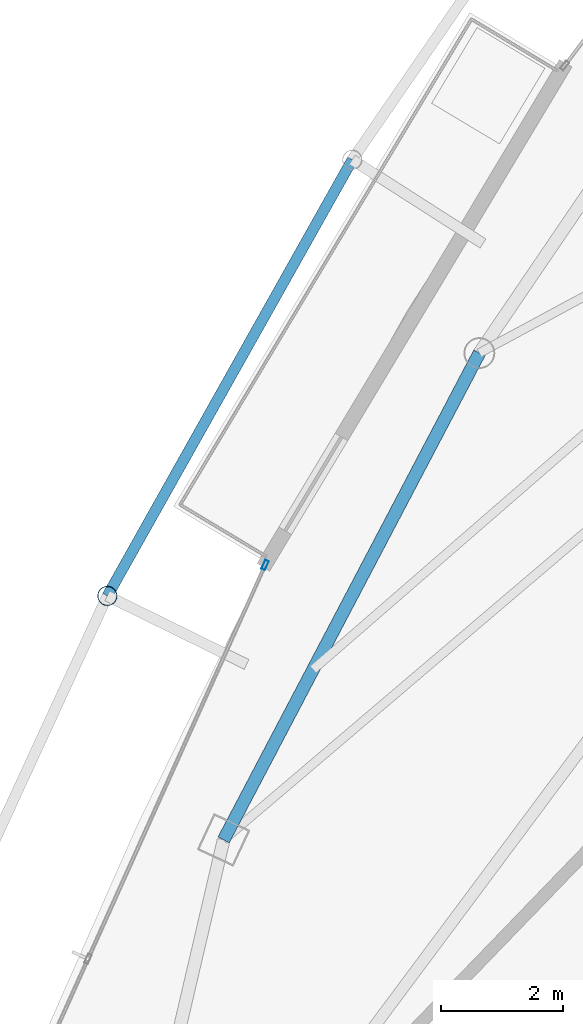
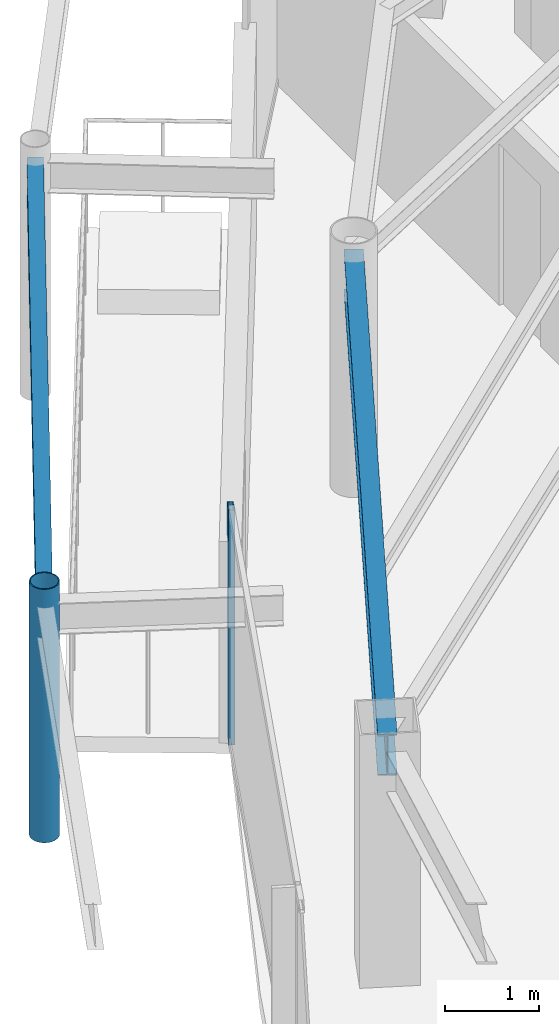
# One storey, part 10 of 28: 2 beams, 2 members, 1 element without a shape of its own.
"""IFC4 building model written with IfcOpenShell, lengths in metres."""

from ifc_helpers import new_model, si_unit, direction, frame, origin, origin_2d, place, context, subcontext, project, spatial, hollow_rectangle, hollow_circle, i_section, extrude, material, layer, layer_set, material_profile, profile_set, type_object, element, aggregate, save


model = new_model("IFC4")

# Units and contexts
model_context = context("Model", 3, precision=1e-05, world=origin(), true_north=direction((0.0, 1.0)))
body_context = subcontext(model_context, "Body", "Model", "MODEL_VIEW")
ifc_project = project(units=[si_unit("LENGTHUNIT", "METRE"), si_unit("AREAUNIT", "SQUARE_METRE"), si_unit("VOLUMEUNIT", "CUBIC_METRE"), si_unit("PLANEANGLEUNIT", "RADIAN"), si_unit("MASSUNIT", "GRAM", prefix="KILO")], contexts=[model_context])

# Site, building, storey
site_placement = place(None, origin())
site = spatial("IfcSite", under=ifc_project, at=site_placement, CompositionType="ELEMENT")
building_placement = place(site_placement, origin())
building = spatial("IfcBuilding", under=site, at=building_placement, Name="Orvanel Arch Residences", CompositionType="ELEMENT")
storey_placement = place(building_placement, frame((0.0, 0.0, 263.449951171875)))
storey = spatial("IfcBuildingStorey", under=building, at=storey_placement, Name="L75", CompositionType="ELEMENT", Elevation=263.449951171875)

# Curtain wall, member
ifc_material_1 = material(Name="Bronze-anodised aluminium AA6063-T6", Category="aluminium")
ifc_layer = layer(ifc_material_1, 0.175048828125)
ifc_layer_set = layer_set([ifc_layer], Name="Bronze-anodised aluminium AA6063-T6")
curtain_wall_type = type_object("IfcCurtainWallType", Name="CW4-HI-SYS", PredefinedType="NOTDEFINED", material=ifc_layer_set)
curtain_wall_placement = place(storey_placement, origin())
curtain_wall = element("IfcCurtainWall", 1, at=curtain_wall_placement, inside=storey, type_object=curtain_wall_type, Name="L75 CW4-HI-SYS Unitised Curtain Wall", PredefinedType="NOTDEFINED")
ifc_material_profile_1 = material_profile(ifc_material_1, hollow_rectangle(XDim=0.06494140625, YDim=0.159912109375, WallThickness=0.00390625, at=origin_2d()), Name="ALU160x65x4")
ifc_profile_set_1 = profile_set([ifc_material_profile_1], Name="Bronze-anodised aluminium AA6063-T6")
member_type_1 = type_object("IfcMemberType", Name="MUL-160x65", PredefinedType="MULLION", material=ifc_profile_set_1)
member_1_placement = place(storey_placement, frame((17.048583984375, 24.158447265625, 0.0), z_axis=(0.0, 0.0, 1.0), x_axis=(0.912050087349, -0.410078819456, 0.0)))
member_1 = element("IfcMember", 2, at=member_1_placement, type_object=member_type_1, Name="CW-S4 mullion 1", PredefinedType="MULLION", context=body_context, shape_type="SweptSolid", body=[
    extrude(hollow_rectangle(XDim=0.06494140625, YDim=0.159912109375, WallThickness=0.00390625, at=origin_2d()), origin(), (0.0, 0.0, 1.0), 3.06005859375),
])
aggregate(curtain_wall, [member_1])

# Beams
ifc_material_2 = material(Name="Structural steel AS/NZS 3679.1 Grade 300 (300 MPa)", Category="steel")
ifc_material_profile_2 = material_profile(ifc_material_2, i_section(OverallWidth=0.177978515625, OverallDepth=0.406005859375, WebThickness=0.0078125, FlangeThickness=0.0126953125, at=origin_2d()), Name="410UB59.7")
ifc_profile_set_2 = profile_set([ifc_material_profile_2], Name="Structural steel AS/NZS 3679.1 Grade 300 (300 MPa)")
beam_type_1 = type_object("IfcBeamType", Name="OB-410UB-EXT", PredefinedType="SPANDREL", material=ifc_profile_set_2)
beam_1_placement = place(storey_placement, frame((18.48095703125, 30.81689453125, 2.85693359375), z_axis=(-0.489617970835, -0.87193706346, 0.0), x_axis=(0.87193706346, -0.489617970835, 0.0)))
element("IfcBeam", 3, at=beam_1_placement, inside=storey, type_object=beam_type_1, Name="L75 Outer Perimeter Floor Ring Beam 02", PredefinedType="SPANDREL", context=body_context, shape_type="SweptSolid", body=[
    extrude(i_section(OverallWidth=0.177978515625, OverallDepth=0.406005859375, WebThickness=0.0078125, FlangeThickness=0.0126953125, at=origin_2d()), origin(), (0.0, 0.0, 1.0), 8.218505859375),
])
ifc_material_profile_3 = material_profile(ifc_material_2, i_section(OverallWidth=0.208984375, OverallDepth=0.532958984375, WebThickness=0.01025390625, FlangeThickness=0.015625, at=origin_2d()), Name="530UB92.4")
ifc_profile_set_3 = profile_set([ifc_material_profile_3], Name="Structural steel AS/NZS 3679.1 Grade 300 (300 MPa)")
beam_type_2 = type_object("IfcBeamType", Name="SP-530UB", PredefinedType="SPANDREL", material=ifc_profile_set_3)
beam_2_placement = place(storey_placement, frame((20.569091796875, 27.64111328125, 2.79296875), z_axis=(-0.465064762793, -0.885276660942, 0.0), x_axis=(0.885276660942, -0.465064762793, 0.0)))
element("IfcBeam", 4, at=beam_2_placement, inside=storey, type_object=beam_type_2, Name="L75 Perimeter Spandrel Beam 12", PredefinedType="SPANDREL", context=body_context, shape_type="SweptSolid", body=[
    extrude(i_section(OverallWidth=0.208984375, OverallDepth=0.532958984375, WebThickness=0.01025390625, FlangeThickness=0.015625, at=origin_2d()), origin(), (0.0, 0.0, 1.0), 9.03564453125),
])

# Member
ifc_material_3 = material(Name="Structural steel AS/NZS 1163 C350L0 (Grade 350)", Category="steel")
ifc_material_profile_4 = material_profile(ifc_material_3, hollow_circle(Radius=0.162109375, WallThickness=0.0126953125, at=origin_2d()), Name="CHS324x12.7")
ifc_profile_set_4 = profile_set([ifc_material_profile_4], Name="Structural steel AS/NZS 1163 C350L0 (Grade 350)")
member_type_2 = type_object("IfcMemberType", Name="ST-324CHS-EXT", PredefinedType="STRUT", material=ifc_profile_set_4)
member_2_placement = place(storey_placement, frame((14.45703125, 23.65087890625, 0.0), z_axis=(0.0, 0.0, 1.0), x_axis=(1.0, 0.0, 0.0)))
element("IfcMember", 5, at=member_2_placement, inside=storey, type_object=member_type_2, Name="L75 Outer Perimeter Frame Post 03", PredefinedType="STRUT", context=body_context, shape_type="SweptSolid", body=[
    extrude(hollow_circle(Radius=0.162109375, WallThickness=0.0126953125, at=origin_2d()), origin(), (0.0, 0.0, 1.0), 3.300048828125),
])

save(model, "model.ifc")
